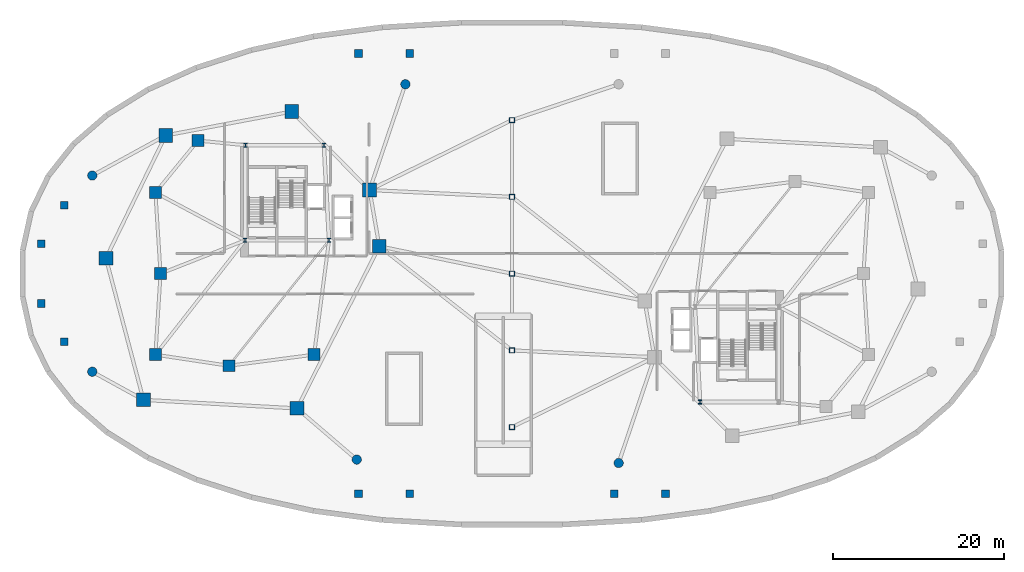
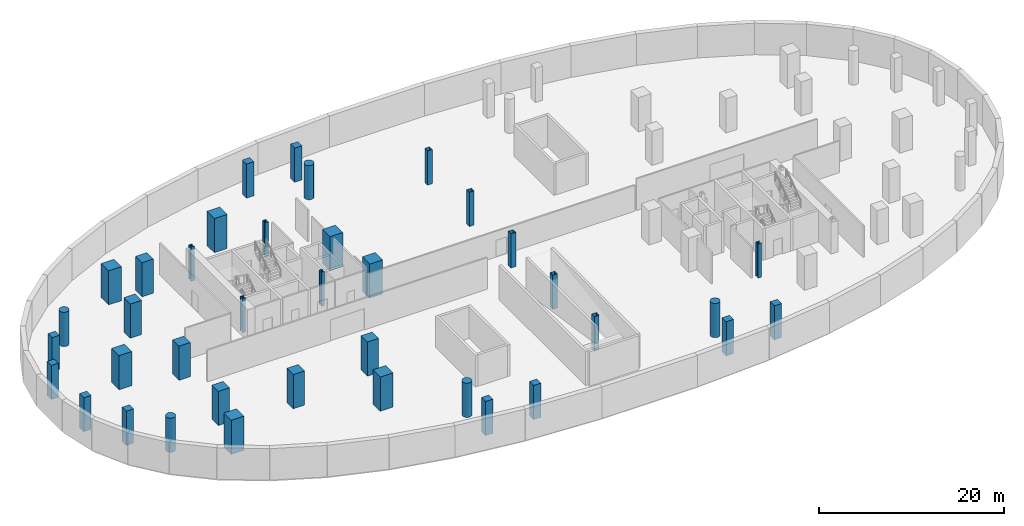
# One storey, part 1 of 10: 38 columns.
"""IFC4 building model written with IfcOpenShell, lengths in metres."""

from ifc_helpers import new_model, si_unit, direction, frame, origin, origin_2d, place, context, subcontext, project, spatial, rectangle, hollow_rectangle, circle, i_section, extrude, material, material_profile, profile_set, type_object, element, save


model = new_model("IFC4")

# Units and contexts
model_context = context("Model", 3, precision=1e-05, world=origin(), true_north=direction((0.0, 1.0)))
body_context = subcontext(model_context, "Body", "Model", "MODEL_VIEW")
ifc_project = project(units=[si_unit("LENGTHUNIT", "METRE"), si_unit("AREAUNIT", "SQUARE_METRE"), si_unit("VOLUMEUNIT", "CUBIC_METRE"), si_unit("PLANEANGLEUNIT", "RADIAN"), si_unit("MASSUNIT", "GRAM", prefix="KILO"), si_unit("THERMODYNAMICTEMPERATUREUNIT", "KELVIN"), si_unit("POWERUNIT", "WATT")], contexts=[model_context])

# Site, building, storey
site_placement = place(None, origin())
site = spatial("IfcSite", under=ifc_project, at=site_placement, CompositionType="ELEMENT")
building_placement = place(site_placement, origin())
building = spatial("IfcBuilding", under=site, at=building_placement, Name="Cundina Bronze Exchange", CompositionType="ELEMENT")
storey_placement = place(building_placement, frame((0.0, 0.0, -4.5)))
storey = spatial("IfcBuildingStorey", under=building, at=storey_placement, Name="B01", CompositionType="ELEMENT", Elevation=-4.5)

# Columns
ifc_material_1 = material(Name="Concrete C60/75", Category="concrete")
ifc_material_profile_1 = material_profile(ifc_material_1, rectangle(XDim=1.39990234375, YDim=1.39990234375, at=origin_2d()), Name="RC1400X1400", Category="concrete")
ifc_profile_set_1 = profile_set([ifc_material_profile_1], Name="Concrete C60/75")
column_type_1 = type_object("IfcColumnType", Name="COL-MEGA-1400", PredefinedType="COLUMN", material=ifc_profile_set_1)
for number, where, z_axis, x_axis, name in (
    (1, (-41.199951171875, 0.0, 0.0), (0.0, 0.0, 1.0), (1.0, 0.0, 0.0), "B01 W Inner Ring Column 1"),
    (2, (-41.800048828125, 9.5, 0.0), (0.0, 0.0, 1.0), (1.0, 0.0, 0.0), "B01 W Inner Ring Column 2"),
    (3, (-36.800048828125, 15.60009765625, 0.0), (0.0, 0.0, 1.0), (1.0, 0.0, 0.0), "B01 W Inner Ring Column 3"),
    (4, (-41.800048828125, -9.5, 0.0), (0.0, 0.0, 1.0), (1.0, 0.0, 0.0), "B01 W Inner Ring Column 4"),
    (5, (-33.199951171875, -10.800048828125, 0.0), (0.0, 0.0, 1.0), (1.0, 0.0, 0.0), "B01 W Inner Ring Column 5"),
    (6, (-23.199951171875, -9.5, 0.0), (0.0, 0.0, 1.0), (1.0, 0.0, 0.0), "B01 W Inner Ring Column 6"),
):
    element("IfcColumn", number, at=place(storey_placement, frame(where, z_axis=z_axis, x_axis=x_axis)), inside=storey, type_object=column_type_1, Name=name, PredefinedType="COLUMN", context=body_context, shape_type="SweptSolid", body=[
        extrude(rectangle(XDim=1.39990234375, YDim=1.39990234375, at=origin_2d()), origin(), (0.0, 0.0, 1.0), 4.5),
    ])
ifc_material_profile_2 = material_profile(ifc_material_1, rectangle(XDim=1.60009765625, YDim=1.60009765625, at=origin_2d()), Name="RC1600X1600", Category="concrete")
ifc_profile_set_2 = profile_set([ifc_material_profile_2], Name="Concrete C60/75")
column_type_2 = type_object("IfcColumnType", Name="COL-MEGA-1600", PredefinedType="COLUMN", material=ifc_profile_set_2)
for number, where, z_axis, x_axis, name in (
    (7, (-15.550048828125, 3.199951171875, 0.0), (0.0, 0.0, 1.0), (1.0, 0.0, 0.0), "B01 W Podium Mega-Column 00"),
    (8, (-16.699951171875, 9.800048828125, 0.0), (0.0, 0.0, 1.0), (1.0, 0.0, 0.0), "B01 W Podium Mega-Column 02"),
    (9, (-25.800048828125, 19.0, 0.0), (0.0, 0.0, 1.0), (1.0, 0.0, 0.0), "B01 W Podium Mega-Column 04"),
    (10, (-40.60009765625, 16.199951171875, 0.0), (0.0, 0.0, 1.0), (1.0, 0.0, 0.0), "B01 W Podium Mega-Column 06"),
    (11, (-47.60009765625, 1.800048828125, 0.0), (0.0, 0.0, 1.0), (1.0, 0.0, 0.0), "B01 W Podium Mega-Column 08"),
    (12, (-43.199951171875, -14.800048828125, 0.0), (0.0, 0.0, 1.0), (1.0, 0.0, 0.0), "B01 W Podium Mega-Column 10"),
    (13, (-25.199951171875, -15.800048828125, 0.0), (0.0, 0.0, 1.0), (1.0, 0.0, 0.0), "B01 W Podium Mega-Column 12"),
):
    element("IfcColumn", number, at=place(storey_placement, frame(where, z_axis=z_axis, x_axis=x_axis)), inside=storey, type_object=column_type_2, Name=name, PredefinedType="COLUMN", context=body_context, shape_type="SweptSolid", body=[
        extrude(rectangle(XDim=1.60009765625, YDim=1.60009765625, at=origin_2d()), origin(), (0.0, 0.0, 1.0), 4.5),
    ])
ifc_material_profile_3 = material_profile(ifc_material_1, circle(Radius=0.550048828125, at=origin_2d()), Name="RC1100D", Category="concrete")
ifc_profile_set_3 = profile_set([ifc_material_profile_3], Name="Concrete C60/75")
column_type_3 = type_object("IfcColumnType", Name="COL-PIL-1100D", PredefinedType="PILASTER", material=ifc_profile_set_3)
for number, where, z_axis, x_axis, name in (
    (14, (-49.199951171875, 11.5, 0.0), (0.0, 0.0, 1.0), (1.0, 0.0, 0.0), "B01 Podium Colonnade Pilaster 01"),
    (15, (-49.199951171875, -11.5, 0.0), (0.0, 0.0, 1.0), (1.0, 0.0, 0.0), "B01 Podium Colonnade Pilaster 02"),
    (16, (-12.5, 22.199951171875, 0.0), (0.0, 0.0, 1.0), (1.0, 0.0, 0.0), "B01 Podium Colonnade Pilaster 03"),
    (17, (12.5, -22.199951171875, 0.0), (0.0, 0.0, 1.0), (1.0, 0.0, 0.0), "B01 Podium Colonnade Pilaster 05"),
    (18, (-18.199951171875, -21.800048828125, 0.0), (0.0, 0.0, 1.0), (1.0, 0.0, 0.0), "B01 Podium Colonnade Pilaster 06"),
):
    element("IfcColumn", number, at=place(storey_placement, frame(where, z_axis=z_axis, x_axis=x_axis)), inside=storey, type_object=column_type_3, Name=name, PredefinedType="PILASTER", context=body_context, shape_type="SweptSolid", body=[
        extrude(circle(Radius=0.550048828125, at=origin_2d()), origin(), (0.0, 0.0, 1.0), 4.5),
    ])
ifc_material_2 = material(Name="Steel ASTM A501 Grade B", Category="steel")
ifc_material_profile_4 = material_profile(ifc_material_2, hollow_rectangle(XDim=0.60009765625, YDim=0.60009765625, WallThickness=0.031982421875, at=origin_2d()), Name="HSS600X600X32", Category="steel")
ifc_profile_set_4 = profile_set([ifc_material_profile_4], Name="Steel ASTM A501 Grade B")
column_type_4 = type_object("IfcColumnType", Name="COL-STL-HSS6", PredefinedType="COLUMN", material=ifc_profile_set_4)
for number, where, z_axis, x_axis, name in (
    (19, (0.0, -18.0, 0.0), (0.0, 0.0, 1.0), (1.0, 0.0, 0.0), "B01 Concourse Spine Column 01"),
    (20, (0.0, -9.0, 0.0), (0.0, 0.0, 1.0), (1.0, 0.0, 0.0), "B01 Concourse Spine Column 02"),
    (21, (0.0, 0.0, 0.0), (0.0, 0.0, 1.0), (1.0, 0.0, 0.0), "B01 Concourse Spine Column 03"),
    (22, (0.0, 9.0, 0.0), (0.0, 0.0, 1.0), (1.0, 0.0, 0.0), "B01 Concourse Spine Column 04"),
    (23, (0.0, 18.0, 0.0), (0.0, 0.0, 1.0), (1.0, 0.0, 0.0), "B01 Concourse Spine Column 05"),
):
    element("IfcColumn", number, at=place(storey_placement, frame(where, z_axis=z_axis, x_axis=x_axis)), inside=storey, type_object=column_type_4, Name=name, PredefinedType="COLUMN", context=body_context, shape_type="SweptSolid", body=[
        extrude(hollow_rectangle(XDim=0.60009765625, YDim=0.60009765625, WallThickness=0.031982421875, at=origin_2d()), origin(), (0.0, 0.0, 1.0), 4.5),
    ])
ifc_material_3 = material(Name="Steel ASTM A992 Grade 50", Category="steel")
ifc_material_profile_5 = material_profile(ifc_material_3, i_section(OverallWidth=0.431884765625, OverallDepth=0.498046875, WebThickness=0.0556640625, FlangeThickness=0.0888671875, FilletRadius=0.01806640625, at=origin_2d()), Name="W14X500", Category="steel")
ifc_profile_set_5 = profile_set([ifc_material_profile_5], Name="Steel ASTM A992 Grade 50")
column_type_5 = type_object("IfcColumnType", Name="COL-STL-W14A", PredefinedType="COLUMN", material=ifc_profile_set_5)
for number, where, z_axis, x_axis, name in (
    (24, (-31.300048828125, 3.89990234375, 0.0), (0.0, 0.0, 1.0), (1.0, 0.0, 0.0), "B01 Core Anchor Column W1"),
    (25, (-21.449951171875, 3.89990234375, 0.0), (0.0, 0.0, 1.0), (1.0, 0.0, 0.0), "B01 Core Anchor Column W2"),
    (26, (-22.050048828125, 15.050048828125, 0.0), (0.0, 0.0, 1.0), (1.0, 0.0, 0.0), "B01 Core Anchor Column W3"),
    (27, (-31.25, 15.050048828125, 0.0), (0.0, 0.0, 1.0), (1.0, 0.0, 0.0), "B01 Core Anchor Column W4"),
    (28, (22.050048828125, -15.050048828125, 0.0), (0.0, 0.0, 1.0), (1.0, 0.0, 0.0), "B01 Core Anchor Column E3"),
):
    element("IfcColumn", number, at=place(storey_placement, frame(where, z_axis=z_axis, x_axis=x_axis)), inside=storey, type_object=column_type_5, Name=name, PredefinedType="COLUMN", context=body_context, shape_type="SweptSolid", body=[
        extrude(i_section(OverallWidth=0.431884765625, OverallDepth=0.498046875, WebThickness=0.0556640625, FlangeThickness=0.0888671875, FilletRadius=0.01806640625, at=origin_2d()), origin(), (0.0, 0.0, 1.0), 4.5),
    ])
ifc_material_4 = material(Name="Concrete C50/60", Category="concrete")
ifc_material_profile_6 = material_profile(ifc_material_4, rectangle(XDim=0.89990234375, YDim=0.89990234375, at=origin_2d()), Name="RC900X900", Category="concrete")
ifc_profile_set_6 = profile_set([ifc_material_profile_6], Name="Concrete C50/60")
column_type_6 = type_object("IfcColumnType", Name="COL-Z4-900", PredefinedType="COLUMN", material=ifc_profile_set_6)
for number, where, z_axis, x_axis, name in (
    (29, (-52.5, -8.0, 0.0), (0.0, 0.0, 1.0), (1.0, 0.0, 0.0), "B01 Podium Crescent Wing Column W1"),
    (30, (-52.5, 8.0, 0.0), (0.0, 0.0, 1.0), (1.0, 0.0, 0.0), "B01 Podium Crescent Wing Column W2"),
    (31, (-55.199951171875, -3.5, 0.0), (0.0, 0.0, 1.0), (1.0, 0.0, 0.0), "B01 Podium Crescent Wing Column W3"),
    (32, (-55.199951171875, 3.5, 0.0), (0.0, 0.0, 1.0), (1.0, 0.0, 0.0), "B01 Podium Crescent Wing Column W4"),
    (33, (-18.0, -25.800048828125, 0.0), (0.0, 0.0, 1.0), (1.0, 0.0, 0.0), "B01 Canopy Support Pier 01"),
    (34, (-12.0, -25.800048828125, 0.0), (0.0, 0.0, 1.0), (1.0, 0.0, 0.0), "B01 Canopy Support Pier 02"),
    (35, (12.0, -25.800048828125, 0.0), (0.0, 0.0, 1.0), (1.0, 0.0, 0.0), "B01 Canopy Support Pier 03"),
    (36, (18.0, -25.800048828125, 0.0), (0.0, 0.0, 1.0), (1.0, 0.0, 0.0), "B01 Canopy Support Pier 04"),
    (37, (-18.0, 25.800048828125, 0.0), (0.0, 0.0, 1.0), (1.0, 0.0, 0.0), "B01 North Canopy Support Pier 05"),
    (38, (-12.0, 25.800048828125, 0.0), (0.0, 0.0, 1.0), (1.0, 0.0, 0.0), "B01 North Canopy Support Pier 06"),
):
    element("IfcColumn", number, at=place(storey_placement, frame(where, z_axis=z_axis, x_axis=x_axis)), inside=storey, type_object=column_type_6, Name=name, PredefinedType="COLUMN", context=body_context, shape_type="SweptSolid", body=[
        extrude(rectangle(XDim=0.89990234375, YDim=0.89990234375, at=origin_2d()), origin(), (0.0, 0.0, 1.0), 4.5),
    ])

save(model, "model.ifc")
